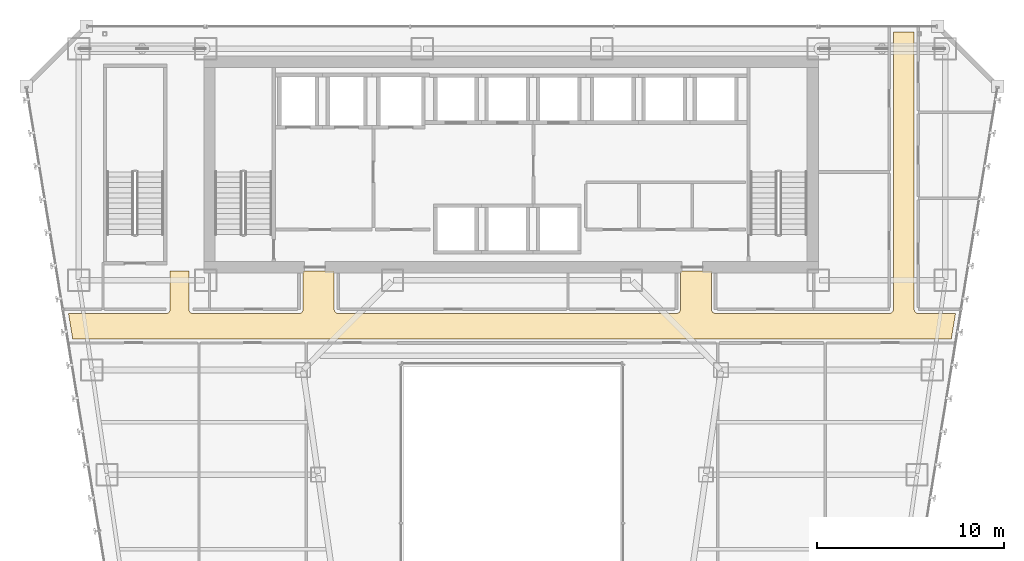
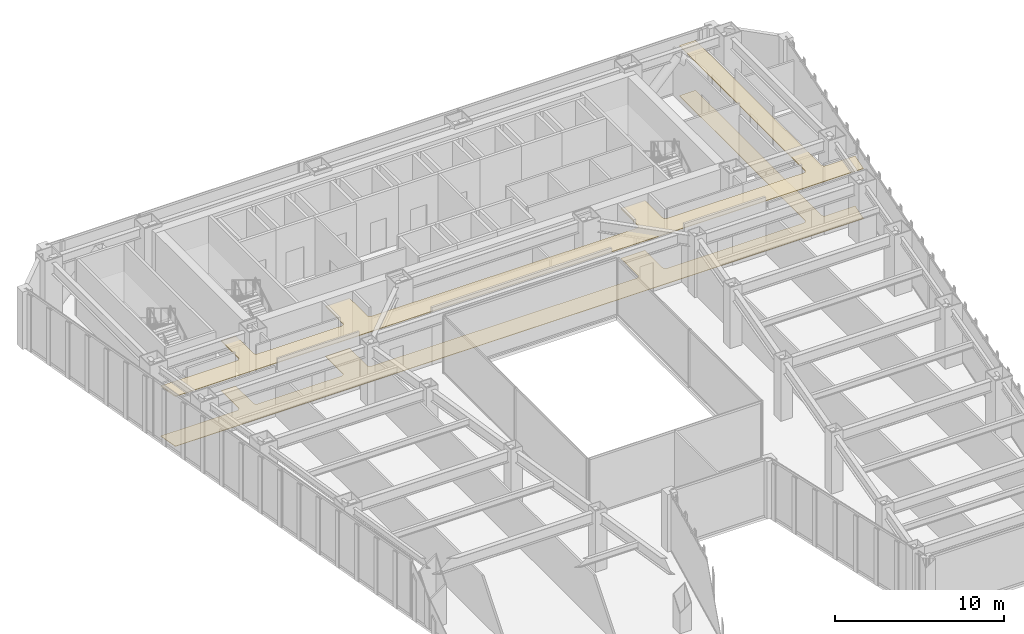
# One storey, part 47 of 49: 2 coverings.
"""IFC4 building model written with IfcOpenShell, lengths in metres."""

from ifc_helpers import new_model, si_unit, direction, frame, origin, place, context, subcontext, project, spatial, polyline, outline, extrude, material, layer, layer_set, type_object, element, save


model = new_model("IFC4")

# Units and contexts
model_context = context("Model", 3, precision=1e-05, world=origin(), true_north=direction((0.0, 1.0)))
body_context = subcontext(model_context, "Body", "Model", "MODEL_VIEW")
ifc_project = project(units=[si_unit("LENGTHUNIT", "METRE"), si_unit("AREAUNIT", "SQUARE_METRE"), si_unit("VOLUMEUNIT", "CUBIC_METRE"), si_unit("PLANEANGLEUNIT", "RADIAN"), si_unit("MASSUNIT", "GRAM", prefix="KILO")], contexts=[model_context])

# Site, building, storey
site_placement = place(None, origin())
site = spatial("IfcSite", under=ifc_project, at=site_placement, CompositionType="ELEMENT")
building_placement = place(site_placement, origin())
building = spatial("IfcBuilding", under=site, at=building_placement, Name="Saevonmaru Cultural Tower", CompositionType="ELEMENT")
storey_placement = place(building_placement, frame((0.0, 0.0, 73.60009765625)))
storey = spatial("IfcBuildingStorey", under=building, at=storey_placement, Name="L15", CompositionType="ELEMENT", Elevation=73.60009765625)

# Coverings
ifc_material_1 = material(Name="Mineral Fibre Acoustic Ceiling", Category="gypsum")
ifc_layer_1 = layer(ifc_material_1, 0.044921875, Name="Mineral Fibre Acoustic Ceiling")
ifc_layer_set_1 = layer_set([ifc_layer_1], Name="Mineral Fibre Acoustic Ceiling")
covering_type_1 = type_object("IfcCoveringType", Name="CV-CEIL-ACOUSTIC", PredefinedType="CEILING", material=ifc_layer_set_1)
covering_1_placement = place(storey_placement, frame((0.0, 0.0, 3.599853515625)))
element("IfcCovering", 1, at=covering_1_placement, inside=storey, type_object=covering_type_1, Name="L15 Corridor Acoustic Ceiling", PredefinedType="CEILING", context=body_context, shape_type="SweptSolid", body=[
    extrude(outline(polyline([(6.48095703125, 39.27001953125), (6.258056640625, 40.6298828125), (11.47998046875, 40.6298828125), (11.501953125, 40.631103515625), (11.52294921875, 40.634033203125), (11.5439453125, 40.638916015625), (11.56396484375, 40.64697265625), (11.583984375, 40.656005859375), (11.60205078125, 40.6669921875), (11.6201171875, 40.679931640625), (11.635986328125, 40.694091796875), (11.64990234375, 40.7099609375), (11.6630859375, 40.72802734375), (11.674072265625, 40.74609375), (11.68310546875, 40.76611328125), (11.69091796875, 40.785888671875), (11.696044921875, 40.806884765625), (11.698974609375, 40.827880859375), (11.699951171875, 40.85009765625), (11.699951171875, 42.889892578125), (12.699951171875, 42.889892578125), (12.699951171875, 40.85009765625), (12.700927734375, 40.827880859375), (12.7041015625, 40.806884765625), (12.708984375, 40.785888671875), (12.717041015625, 40.76611328125), (12.72607421875, 40.74609375), (12.737060546875, 40.72802734375), (12.75, 40.7099609375), (12.763916015625, 40.694091796875), (12.780029296875, 40.679931640625), (12.798095703125, 40.6669921875), (12.81591796875, 40.656005859375), (12.8359375, 40.64697265625), (12.85595703125, 40.638916015625), (12.876953125, 40.634033203125), (12.89794921875, 40.631103515625), (12.919921875, 40.6298828125), (18.60009765625, 40.6298828125), (18.6220703125, 40.631103515625), (18.64306640625, 40.634033203125), (18.6640625, 40.638916015625), (18.68408203125, 40.64697265625), (18.7041015625, 40.656005859375), (18.721923828125, 40.6669921875), (18.739990234375, 40.679931640625), (18.756103515625, 40.694091796875), (18.77001953125, 40.7099609375), (18.782958984375, 40.72802734375), (18.7939453125, 40.74609375), (18.802978515625, 40.76611328125), (18.81103515625, 40.785888671875), (18.81591796875, 40.806884765625), (18.819091796875, 40.827880859375), (18.820068359375, 40.85009765625), (18.820068359375, 42.889892578125), (20.47998046875, 42.889892578125), (20.47998046875, 40.85009765625), (20.48095703125, 40.827880859375), (20.48388671875, 40.806884765625), (20.489013671875, 40.785888671875), (20.4970703125, 40.76611328125), (20.506103515625, 40.74609375), (20.51708984375, 40.72802734375), (20.530029296875, 40.7099609375), (20.5439453125, 40.694091796875), (20.56005859375, 40.679931640625), (20.577880859375, 40.6669921875), (20.595947265625, 40.656005859375), (20.615966796875, 40.64697265625), (20.635986328125, 40.638916015625), (20.656982421875, 40.634033203125), (20.677978515625, 40.631103515625), (20.699951171875, 40.6298828125), (38.800048828125, 40.6298828125), (38.822021484375, 40.631103515625), (38.843017578125, 40.634033203125), (38.864013671875, 40.638916015625), (38.884033203125, 40.64697265625), (38.904052734375, 40.656005859375), (38.922119140625, 40.6669921875), (38.93994140625, 40.679931640625), (38.9560546875, 40.694091796875), (38.969970703125, 40.7099609375), (38.98291015625, 40.72802734375), (38.993896484375, 40.74609375), (39.0029296875, 40.76611328125), (39.010986328125, 40.785888671875), (39.01611328125, 40.806884765625), (39.01904296875, 40.827880859375), (39.02001953125, 40.85009765625), (39.02001953125, 42.889892578125), (40.679931640625, 42.889892578125), (40.679931640625, 40.85009765625), (40.680908203125, 40.827880859375), (40.68408203125, 40.806884765625), (40.68896484375, 40.785888671875), (40.697021484375, 40.76611328125), (40.7060546875, 40.74609375), (40.717041015625, 40.72802734375), (40.72998046875, 40.7099609375), (40.743896484375, 40.694091796875), (40.760009765625, 40.679931640625), (40.778076171875, 40.6669921875), (40.7958984375, 40.656005859375), (40.81591796875, 40.64697265625), (40.8359375, 40.638916015625), (40.85693359375, 40.634033203125), (40.8779296875, 40.631103515625), (40.89990234375, 40.6298828125), (50.199951171875, 40.6298828125), (50.221923828125, 40.631103515625), (50.242919921875, 40.634033203125), (50.263916015625, 40.638916015625), (50.283935546875, 40.64697265625), (50.303955078125, 40.656005859375), (50.322021484375, 40.6669921875), (50.340087890625, 40.679931640625), (50.35595703125, 40.694091796875), (50.3701171875, 40.7099609375), (50.383056640625, 40.72802734375), (50.39404296875, 40.74609375), (50.403076171875, 40.76611328125), (50.410888671875, 40.785888671875), (50.416015625, 40.806884765625), (50.4189453125, 40.827880859375), (50.419921875, 40.85009765625), (50.419921875, 55.699951171875), (51.530029296875, 55.699951171875), (51.530029296875, 40.85009765625), (51.531005859375, 40.827880859375), (51.533935546875, 40.806884765625), (51.5390625, 40.785888671875), (51.547119140625, 40.76611328125), (51.555908203125, 40.74609375), (51.56689453125, 40.72802734375), (51.580078125, 40.7099609375), (51.593994140625, 40.694091796875), (51.610107421875, 40.679931640625), (51.6279296875, 40.6669921875), (51.64599609375, 40.656005859375), (51.666015625, 40.64697265625), (51.68603515625, 40.638916015625), (51.70703125, 40.634033203125), (51.72802734375, 40.631103515625), (51.75, 40.6298828125), (53.741943359375, 40.6298828125), (53.51904296875, 39.27001953125), (6.48095703125, 39.27001953125)])), origin(), (0.0, 0.0, 1.0), 0.045166015625),
])
ifc_material_2 = material(Name="Honed Granite Terrazzo", Category="masonry")
ifc_layer_2 = layer(ifc_material_2, 0.030029296875, Name="Honed Granite Terrazzo")
ifc_layer_set_2 = layer_set([ifc_layer_2], Name="Honed Granite Terrazzo")
covering_type_2 = type_object("IfcCoveringType", Name="CV-FLR-TERRAZZO", PredefinedType="FLOORING", material=ifc_layer_set_2)
covering_2_placement = place(storey_placement, origin())
element("IfcCovering", 2, at=covering_2_placement, inside=storey, type_object=covering_type_2, Name="L15 Corridor Terrazzo Flooring", PredefinedType="FLOORING", context=body_context, shape_type="SweptSolid", body=[
    extrude(outline(polyline([(6.48095703125, 39.27001953125), (6.258056640625, 40.6298828125), (11.47998046875, 40.6298828125), (11.501953125, 40.631103515625), (11.52294921875, 40.634033203125), (11.5439453125, 40.638916015625), (11.56396484375, 40.64697265625), (11.583984375, 40.656005859375), (11.60205078125, 40.6669921875), (11.6201171875, 40.679931640625), (11.635986328125, 40.694091796875), (11.64990234375, 40.7099609375), (11.6630859375, 40.72802734375), (11.674072265625, 40.74609375), (11.68310546875, 40.76611328125), (11.69091796875, 40.785888671875), (11.696044921875, 40.806884765625), (11.698974609375, 40.827880859375), (11.699951171875, 40.85009765625), (11.699951171875, 42.889892578125), (12.699951171875, 42.889892578125), (12.699951171875, 40.85009765625), (12.700927734375, 40.827880859375), (12.7041015625, 40.806884765625), (12.708984375, 40.785888671875), (12.717041015625, 40.76611328125), (12.72607421875, 40.74609375), (12.737060546875, 40.72802734375), (12.75, 40.7099609375), (12.763916015625, 40.694091796875), (12.780029296875, 40.679931640625), (12.798095703125, 40.6669921875), (12.81591796875, 40.656005859375), (12.8359375, 40.64697265625), (12.85595703125, 40.638916015625), (12.876953125, 40.634033203125), (12.89794921875, 40.631103515625), (12.919921875, 40.6298828125), (18.60009765625, 40.6298828125), (18.6220703125, 40.631103515625), (18.64306640625, 40.634033203125), (18.6640625, 40.638916015625), (18.68408203125, 40.64697265625), (18.7041015625, 40.656005859375), (18.721923828125, 40.6669921875), (18.739990234375, 40.679931640625), (18.756103515625, 40.694091796875), (18.77001953125, 40.7099609375), (18.782958984375, 40.72802734375), (18.7939453125, 40.74609375), (18.802978515625, 40.76611328125), (18.81103515625, 40.785888671875), (18.81591796875, 40.806884765625), (18.819091796875, 40.827880859375), (18.820068359375, 40.85009765625), (18.820068359375, 42.889892578125), (20.47998046875, 42.889892578125), (20.47998046875, 40.85009765625), (20.48095703125, 40.827880859375), (20.48388671875, 40.806884765625), (20.489013671875, 40.785888671875), (20.4970703125, 40.76611328125), (20.506103515625, 40.74609375), (20.51708984375, 40.72802734375), (20.530029296875, 40.7099609375), (20.5439453125, 40.694091796875), (20.56005859375, 40.679931640625), (20.577880859375, 40.6669921875), (20.595947265625, 40.656005859375), (20.615966796875, 40.64697265625), (20.635986328125, 40.638916015625), (20.656982421875, 40.634033203125), (20.677978515625, 40.631103515625), (20.699951171875, 40.6298828125), (38.800048828125, 40.6298828125), (38.822021484375, 40.631103515625), (38.843017578125, 40.634033203125), (38.864013671875, 40.638916015625), (38.884033203125, 40.64697265625), (38.904052734375, 40.656005859375), (38.922119140625, 40.6669921875), (38.93994140625, 40.679931640625), (38.9560546875, 40.694091796875), (38.969970703125, 40.7099609375), (38.98291015625, 40.72802734375), (38.993896484375, 40.74609375), (39.0029296875, 40.76611328125), (39.010986328125, 40.785888671875), (39.01611328125, 40.806884765625), (39.01904296875, 40.827880859375), (39.02001953125, 40.85009765625), (39.02001953125, 42.889892578125), (40.679931640625, 42.889892578125), (40.679931640625, 40.85009765625), (40.680908203125, 40.827880859375), (40.68408203125, 40.806884765625), (40.68896484375, 40.785888671875), (40.697021484375, 40.76611328125), (40.7060546875, 40.74609375), (40.717041015625, 40.72802734375), (40.72998046875, 40.7099609375), (40.743896484375, 40.694091796875), (40.760009765625, 40.679931640625), (40.778076171875, 40.6669921875), (40.7958984375, 40.656005859375), (40.81591796875, 40.64697265625), (40.8359375, 40.638916015625), (40.85693359375, 40.634033203125), (40.8779296875, 40.631103515625), (40.89990234375, 40.6298828125), (50.199951171875, 40.6298828125), (50.221923828125, 40.631103515625), (50.242919921875, 40.634033203125), (50.263916015625, 40.638916015625), (50.283935546875, 40.64697265625), (50.303955078125, 40.656005859375), (50.322021484375, 40.6669921875), (50.340087890625, 40.679931640625), (50.35595703125, 40.694091796875), (50.3701171875, 40.7099609375), (50.383056640625, 40.72802734375), (50.39404296875, 40.74609375), (50.403076171875, 40.76611328125), (50.410888671875, 40.785888671875), (50.416015625, 40.806884765625), (50.4189453125, 40.827880859375), (50.419921875, 40.85009765625), (50.419921875, 55.699951171875), (51.530029296875, 55.699951171875), (51.530029296875, 40.85009765625), (51.531005859375, 40.827880859375), (51.533935546875, 40.806884765625), (51.5390625, 40.785888671875), (51.547119140625, 40.76611328125), (51.555908203125, 40.74609375), (51.56689453125, 40.72802734375), (51.580078125, 40.7099609375), (51.593994140625, 40.694091796875), (51.610107421875, 40.679931640625), (51.6279296875, 40.6669921875), (51.64599609375, 40.656005859375), (51.666015625, 40.64697265625), (51.68603515625, 40.638916015625), (51.70703125, 40.634033203125), (51.72802734375, 40.631103515625), (51.75, 40.6298828125), (53.741943359375, 40.6298828125), (53.51904296875, 39.27001953125), (6.48095703125, 39.27001953125)])), origin(), (0.0, 0.0, 1.0), 0.02978515625),
])

save(model, "model.ifc")
